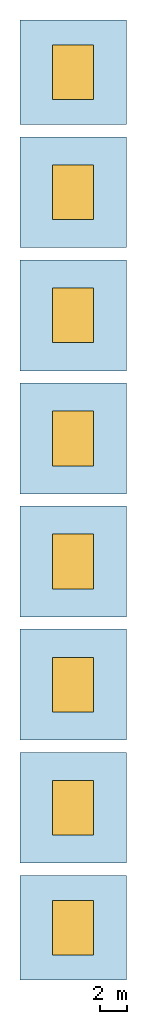
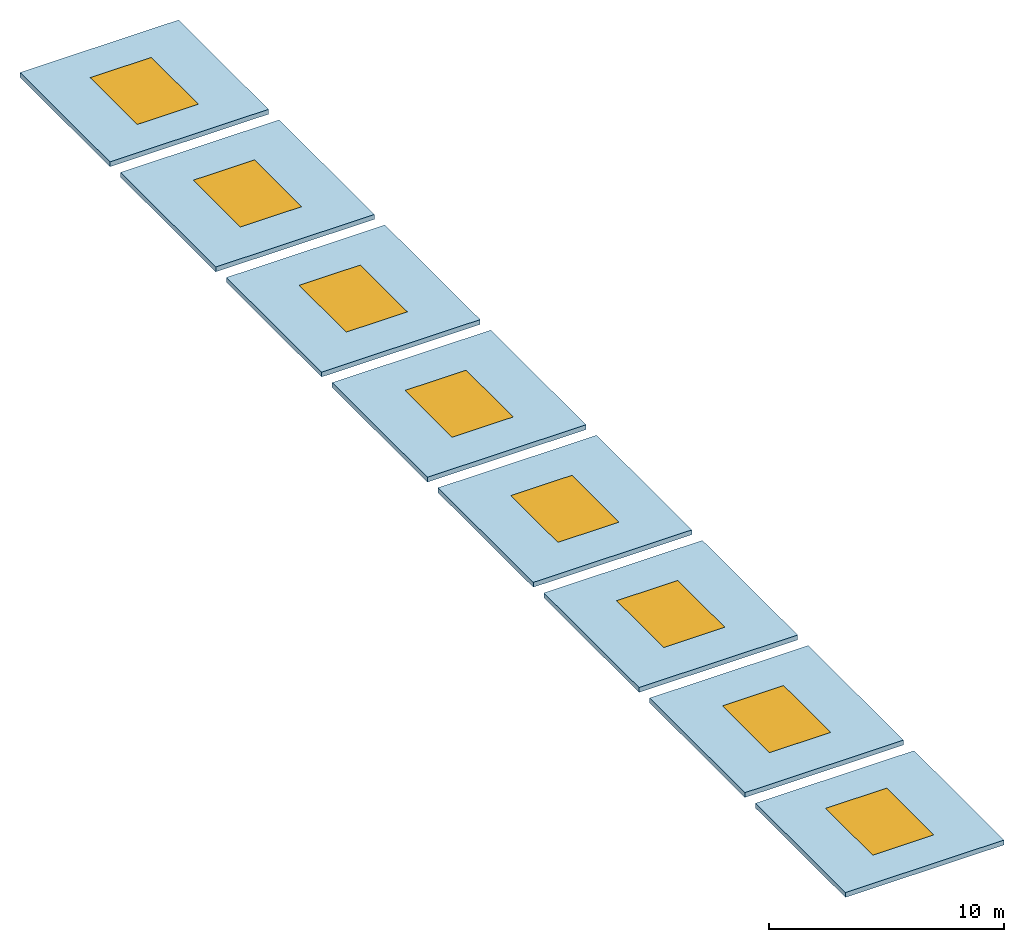
# One storey: 8 slabs, 8 windows, 8 openings.
"""IFC4 building model written with IfcOpenShell, lengths in metres."""

from ifc_helpers import new_model, si_unit, direction, frame, origin, origin_2d, place, context, subcontext, project, spatial, polyline, rectangle, outline, extrude, material, layer, layer_set, type_object, element, fill, save


model = new_model("IFC4")

# Units and contexts
model_context = context("Model", 3, precision=1e-05, world=origin(), true_north=direction((0.0, 1.0)))
body_context = subcontext(model_context, "Body", "Model", "MODEL_VIEW")
ifc_project = project(units=[si_unit("LENGTHUNIT", "METRE"), si_unit("AREAUNIT", "SQUARE_METRE"), si_unit("VOLUMEUNIT", "CUBIC_METRE"), si_unit("PLANEANGLEUNIT", "RADIAN"), si_unit("MASSUNIT", "GRAM", prefix="KILO")], contexts=[model_context])

# Site, building, storey
site_placement = place(None, origin())
site = spatial("IfcSite", under=ifc_project, at=site_placement, CompositionType="ELEMENT")
building_placement = place(site_placement, origin())
building = spatial("IfcBuilding", under=site, at=building_placement, Name="Elmora Arch Market Hall", CompositionType="ELEMENT")
storey_placement = place(building_placement, frame((0.0, 0.0, 30.89990234375)))
storey = spatial("IfcBuildingStorey", under=building, at=storey_placement, Name="Upper Roof", CompositionType="ELEMENT", Elevation=30.89990234375)

# Slab, opening, window
ifc_material_1 = material(Name="Concrete C40/50", Category="concrete")
ifc_layer = layer(ifc_material_1, 0.25)
ifc_layer_set = layer_set([ifc_layer], Name="Concrete C40/50")
slab_type = type_object("IfcSlabType", Name="Hall roof panel", PredefinedType="ROOF", material=ifc_layer_set)
slab_1_placement = place(storey_placement, frame((0.0, 0.0, -0.25)))
slab_1 = element("IfcSlab", 1, at=slab_1_placement, inside=storey, type_object=slab_type, Name="Roof panel 1 C", PredefinedType="ROOF", context=body_context, shape_type="SweptSolid", body=[
    extrude(outline(polyline([(25.107421875, 27.89990234375), (32.892578125, 27.89990234375), (32.892578125, 35.550048828125), (25.107421875, 35.550048828125), (25.107421875, 27.89990234375)])), origin(), (0.0, 0.0, 1.0), 0.25),
])
opening_1_placement = place(slab_1_placement, frame((29.0, 31.72509765625, 0.0)))
opening_1 = element("IfcOpeningElement", 2, at=opening_1_placement, cuts=slab_1, Name="Opening SK1", PredefinedType="OPENING", context=body_context, shape_type="SweptSolid", body=[
    extrude(rectangle(XDim=3.0, YDim=4.0, at=origin_2d()), origin(), (0.0, 0.0, 1.0), 0.25),
])
ifc_material_2 = material(Name="Aluminium", Category="aluminium")
window_type = type_object("IfcWindowType", Name="Skylight 3000x4000", PartitioningType="SINGLE_PANEL", PredefinedType="SKYLIGHT", material=ifc_material_2)
window_1_placement = place(opening_1_placement, frame((0.0, 0.0, 0.199951171875)))
window_1 = element("IfcWindow", 3, at=window_1_placement, inside=storey, type_object=window_type, Name="Skylight 1", OverallHeight=4.0, OverallWidth=3.0, PartitioningType="SINGLE_PANEL", PredefinedType="SKYLIGHT", context=body_context, shape_type="SweptSolid", body=[
    extrude(rectangle(XDim=3.0, YDim=4.0, at=origin_2d()), origin(), (0.0, 0.0, 1.0), 0.050048828125),
])
fill(opening_1, window_1)

slab_2_placement = place(storey_placement, frame((0.0, 0.0, -0.25)))
slab_2 = element("IfcSlab", 4, at=slab_2_placement, inside=storey, type_object=slab_type, Name="Roof panel 2 C", PredefinedType="ROOF", context=body_context, shape_type="SweptSolid", body=[
    extrude(outline(polyline([(25.107421875, 36.449951171875), (32.892578125, 36.449951171875), (32.892578125, 44.550048828125), (25.107421875, 44.550048828125), (25.107421875, 36.449951171875)])), origin(), (0.0, 0.0, 1.0), 0.25),
])
opening_2_placement = place(slab_2_placement, frame((29.0, 40.5, 0.0)))
opening_2 = element("IfcOpeningElement", 5, at=opening_2_placement, cuts=slab_2, Name="Opening SK1", PredefinedType="OPENING", context=body_context, shape_type="SweptSolid", body=[
    extrude(rectangle(XDim=3.0, YDim=4.0, at=origin_2d()), origin(), (0.0, 0.0, 1.0), 0.25),
])
window_2_placement = place(opening_2_placement, frame((0.0, 0.0, 0.199951171875)))
window_2 = element("IfcWindow", 6, at=window_2_placement, inside=storey, type_object=window_type, Name="Skylight 2", OverallHeight=4.0, OverallWidth=3.0, PartitioningType="SINGLE_PANEL", PredefinedType="SKYLIGHT", context=body_context, shape_type="SweptSolid", body=[
    extrude(rectangle(XDim=3.0, YDim=4.0, at=origin_2d()), origin(), (0.0, 0.0, 1.0), 0.050048828125),
])
fill(opening_2, window_2)

slab_3_placement = place(storey_placement, frame((0.0, 0.0, -0.25)))
slab_3 = element("IfcSlab", 7, at=slab_3_placement, inside=storey, type_object=slab_type, Name="Roof panel 3 C", PredefinedType="ROOF", context=body_context, shape_type="SweptSolid", body=[
    extrude(outline(polyline([(25.107421875, 45.449951171875), (32.892578125, 45.449951171875), (32.892578125, 53.550048828125), (25.107421875, 53.550048828125), (25.107421875, 45.449951171875)])), origin(), (0.0, 0.0, 1.0), 0.25),
])
opening_3_placement = place(slab_3_placement, frame((29.0, 49.5, 0.0)))
opening_3 = element("IfcOpeningElement", 8, at=opening_3_placement, cuts=slab_3, Name="Opening SK1", PredefinedType="OPENING", context=body_context, shape_type="SweptSolid", body=[
    extrude(rectangle(XDim=3.0, YDim=4.0, at=origin_2d()), origin(), (0.0, 0.0, 1.0), 0.25),
])
window_3_placement = place(opening_3_placement, frame((0.0, 0.0, 0.199951171875)))
window_3 = element("IfcWindow", 9, at=window_3_placement, inside=storey, type_object=window_type, Name="Skylight 3", OverallHeight=4.0, OverallWidth=3.0, PartitioningType="SINGLE_PANEL", PredefinedType="SKYLIGHT", context=body_context, shape_type="SweptSolid", body=[
    extrude(rectangle(XDim=3.0, YDim=4.0, at=origin_2d()), origin(), (0.0, 0.0, 1.0), 0.050048828125),
])
fill(opening_3, window_3)

slab_4_placement = place(storey_placement, frame((0.0, 0.0, -0.25)))
slab_4 = element("IfcSlab", 10, at=slab_4_placement, inside=storey, type_object=slab_type, Name="Roof panel 4 C", PredefinedType="ROOF", context=body_context, shape_type="SweptSolid", body=[
    extrude(outline(polyline([(25.107421875, 54.449951171875), (32.892578125, 54.449951171875), (32.892578125, 62.550048828125), (25.107421875, 62.550048828125), (25.107421875, 54.449951171875)])), origin(), (0.0, 0.0, 1.0), 0.25),
])
opening_4_placement = place(slab_4_placement, frame((29.0, 58.5, 0.0)))
opening_4 = element("IfcOpeningElement", 11, at=opening_4_placement, cuts=slab_4, Name="Opening SK1", PredefinedType="OPENING", context=body_context, shape_type="SweptSolid", body=[
    extrude(rectangle(XDim=3.0, YDim=4.0, at=origin_2d()), origin(), (0.0, 0.0, 1.0), 0.25),
])
window_4_placement = place(opening_4_placement, frame((0.0, 0.0, 0.199951171875)))
window_4 = element("IfcWindow", 12, at=window_4_placement, inside=storey, type_object=window_type, Name="Skylight 4", OverallHeight=4.0, OverallWidth=3.0, PartitioningType="SINGLE_PANEL", PredefinedType="SKYLIGHT", context=body_context, shape_type="SweptSolid", body=[
    extrude(rectangle(XDim=3.0, YDim=4.0, at=origin_2d()), origin(), (0.0, 0.0, 1.0), 0.050048828125),
])
fill(opening_4, window_4)

slab_5_placement = place(storey_placement, frame((0.0, 0.0, -0.25)))
slab_5 = element("IfcSlab", 13, at=slab_5_placement, inside=storey, type_object=slab_type, Name="Roof panel 5 C", PredefinedType="ROOF", context=body_context, shape_type="SweptSolid", body=[
    extrude(outline(polyline([(25.107421875, 63.449951171875), (32.892578125, 63.449951171875), (32.892578125, 71.550048828125), (25.107421875, 71.550048828125), (25.107421875, 63.449951171875)])), origin(), (0.0, 0.0, 1.0), 0.25),
])
opening_5_placement = place(slab_5_placement, frame((29.0, 67.5, 0.0)))
opening_5 = element("IfcOpeningElement", 14, at=opening_5_placement, cuts=slab_5, Name="Opening SK1", PredefinedType="OPENING", context=body_context, shape_type="SweptSolid", body=[
    extrude(rectangle(XDim=3.0, YDim=4.0, at=origin_2d()), origin(), (0.0, 0.0, 1.0), 0.25),
])
window_5_placement = place(opening_5_placement, frame((0.0, 0.0, 0.199951171875)))
window_5 = element("IfcWindow", 15, at=window_5_placement, inside=storey, type_object=window_type, Name="Skylight 5", OverallHeight=4.0, OverallWidth=3.0, PartitioningType="SINGLE_PANEL", PredefinedType="SKYLIGHT", context=body_context, shape_type="SweptSolid", body=[
    extrude(rectangle(XDim=3.0, YDim=4.0, at=origin_2d()), origin(), (0.0, 0.0, 1.0), 0.050048828125),
])
fill(opening_5, window_5)

slab_6_placement = place(storey_placement, frame((0.0, 0.0, -0.25)))
slab_6 = element("IfcSlab", 16, at=slab_6_placement, inside=storey, type_object=slab_type, Name="Roof panel 6 C", PredefinedType="ROOF", context=body_context, shape_type="SweptSolid", body=[
    extrude(outline(polyline([(25.107421875, 72.449951171875), (32.892578125, 72.449951171875), (32.892578125, 80.550048828125), (25.107421875, 80.550048828125), (25.107421875, 72.449951171875)])), origin(), (0.0, 0.0, 1.0), 0.25),
])
opening_6_placement = place(slab_6_placement, frame((29.0, 76.5, 0.0)))
opening_6 = element("IfcOpeningElement", 17, at=opening_6_placement, cuts=slab_6, Name="Opening SK1", PredefinedType="OPENING", context=body_context, shape_type="SweptSolid", body=[
    extrude(rectangle(XDim=3.0, YDim=4.0, at=origin_2d()), origin(), (0.0, 0.0, 1.0), 0.25),
])
window_6_placement = place(opening_6_placement, frame((0.0, 0.0, 0.199951171875)))
window_6 = element("IfcWindow", 18, at=window_6_placement, inside=storey, type_object=window_type, Name="Skylight 6", OverallHeight=4.0, OverallWidth=3.0, PartitioningType="SINGLE_PANEL", PredefinedType="SKYLIGHT", context=body_context, shape_type="SweptSolid", body=[
    extrude(rectangle(XDim=3.0, YDim=4.0, at=origin_2d()), origin(), (0.0, 0.0, 1.0), 0.050048828125),
])
fill(opening_6, window_6)

slab_7_placement = place(storey_placement, frame((0.0, 0.0, -0.25)))
slab_7 = element("IfcSlab", 19, at=slab_7_placement, inside=storey, type_object=slab_type, Name="Roof panel 7 C", PredefinedType="ROOF", context=body_context, shape_type="SweptSolid", body=[
    extrude(outline(polyline([(25.107421875, 81.449951171875), (32.892578125, 81.449951171875), (32.892578125, 89.550048828125), (25.107421875, 89.550048828125), (25.107421875, 81.449951171875)])), origin(), (0.0, 0.0, 1.0), 0.25),
])
opening_7_placement = place(slab_7_placement, frame((29.0, 85.5, 0.0)))
opening_7 = element("IfcOpeningElement", 20, at=opening_7_placement, cuts=slab_7, Name="Opening SK1", PredefinedType="OPENING", context=body_context, shape_type="SweptSolid", body=[
    extrude(rectangle(XDim=3.0, YDim=4.0, at=origin_2d()), origin(), (0.0, 0.0, 1.0), 0.25),
])
window_7_placement = place(opening_7_placement, frame((0.0, 0.0, 0.199951171875)))
window_7 = element("IfcWindow", 21, at=window_7_placement, inside=storey, type_object=window_type, Name="Skylight 7", OverallHeight=4.0, OverallWidth=3.0, PartitioningType="SINGLE_PANEL", PredefinedType="SKYLIGHT", context=body_context, shape_type="SweptSolid", body=[
    extrude(rectangle(XDim=3.0, YDim=4.0, at=origin_2d()), origin(), (0.0, 0.0, 1.0), 0.050048828125),
])
fill(opening_7, window_7)

slab_8_placement = place(storey_placement, frame((0.0, 0.0, -0.25)))
slab_8 = element("IfcSlab", 22, at=slab_8_placement, inside=storey, type_object=slab_type, Name="Roof panel 8 C", PredefinedType="ROOF", context=body_context, shape_type="SweptSolid", body=[
    extrude(outline(polyline([(25.107421875, 90.449951171875), (32.892578125, 90.449951171875), (32.892578125, 98.10009765625), (25.107421875, 98.10009765625), (25.107421875, 90.449951171875)])), origin(), (0.0, 0.0, 1.0), 0.25),
])
opening_8_placement = place(slab_8_placement, frame((29.0, 94.27490234375, 0.0)))
opening_8 = element("IfcOpeningElement", 23, at=opening_8_placement, cuts=slab_8, Name="Opening SK1", PredefinedType="OPENING", context=body_context, shape_type="SweptSolid", body=[
    extrude(rectangle(XDim=3.0, YDim=4.0, at=origin_2d()), origin(), (0.0, 0.0, 1.0), 0.25),
])
window_8_placement = place(opening_8_placement, frame((0.0, 0.0, 0.199951171875)))
window_8 = element("IfcWindow", 24, at=window_8_placement, inside=storey, type_object=window_type, Name="Skylight 8", OverallHeight=4.0, OverallWidth=3.0, PartitioningType="SINGLE_PANEL", PredefinedType="SKYLIGHT", context=body_context, shape_type="SweptSolid", body=[
    extrude(rectangle(XDim=3.0, YDim=4.0, at=origin_2d()), origin(), (0.0, 0.0, 1.0), 0.050048828125),
])
fill(opening_8, window_8)

save(model, "model.ifc")
